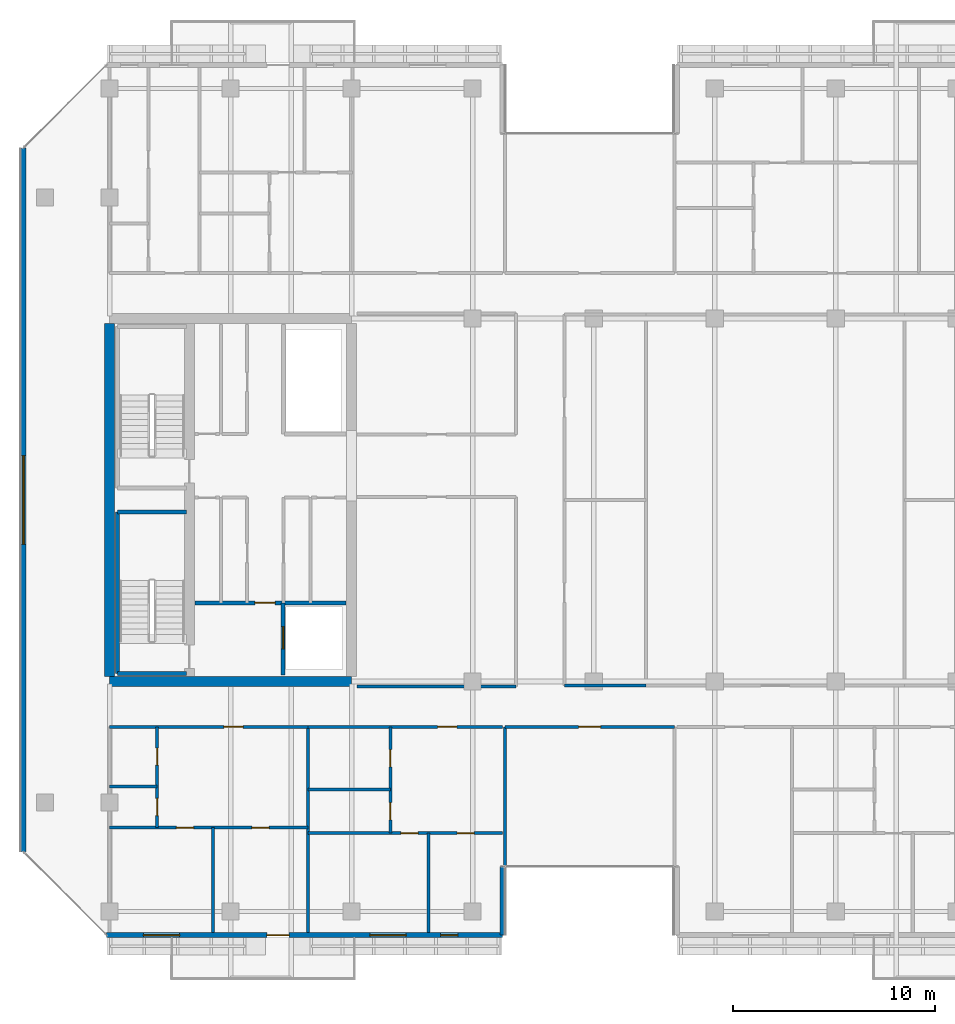
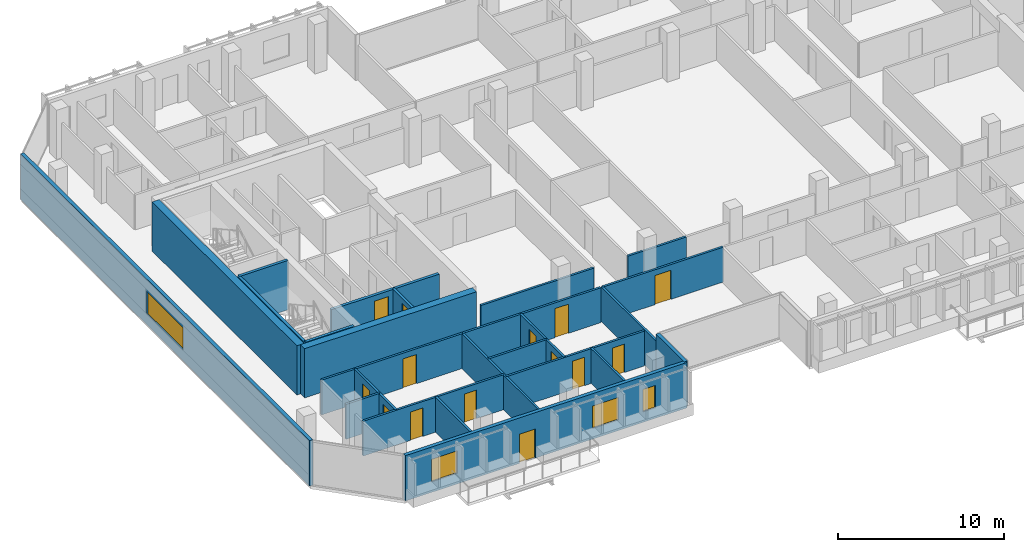
# One storey, part 19 of 31: 25 walls, 14 doors, 4 windows, 18 openings.
"""IFC4 building model written with IfcOpenShell, lengths in metres."""

import ifcopenshell
import ifcopenshell.guid

model = None  # the IFC model being written
_history = None  # IfcOwnerHistory: only IFC2X3 demands one
_inside = {}  # id of a spatial element -> (the spatial element, [elements in it])
_under = {}  # id of a project, library or spatial element -> (it, [spatial elements below it])
_declared = {}  # id of a project -> (the project, [libraries it declares])
_typed = {}  # id of a type object -> (the type object, [elements of that type])
_made_of = {}  # id of a material, layer set ... -> (it, [elements and type objects made of it])


def new_model(schema):
    """Start an empty IFC model of exactly this schema.

    Asked for "IFC4X3", IfcOpenShell would pick the latest addendum, in which some entities
    have other attributes; the version numbers below select the first issue.
    IFC2X3 requires an IfcOwnerHistory on every rooted entity: one is made here for all.
    """
    global model, _history
    if schema == "IFC4X3":
        model = ifcopenshell.file(schema_version=(4, 3, 0, 0))
    else:
        model = ifcopenshell.file(schema=schema)
    _inside.clear()
    _under.clear()
    _declared.clear()
    _typed.clear()
    _made_of.clear()
    _history = None
    if model.schema == "IFC2X3":
        org = make("IfcOrganization", Name="unknown")
        user = make(
            "IfcPersonAndOrganization",
            ThePerson=make("IfcPerson", FamilyName="unknown"),
            TheOrganization=org,
        )
        app = make(
            "IfcApplication",
            ApplicationDeveloper=org,
            Version="unknown",
            ApplicationFullName="unknown",
            ApplicationIdentifier="unknown",
        )
        _history = make(
            "IfcOwnerHistory",
            OwningUser=user,
            OwningApplication=app,
            ChangeAction="ADDED",
            CreationDate=0,
        )
    return model


def make(cls, **values):
    """One entity of the class cls with the attributes given. An attribute that is None is left unset."""
    return model.create_entity(
        cls, **{name: value for name, value in values.items() if value is not None}
    )


def rooted(cls, **values):
    """An entity with a GlobalId (a new one), such as an element, a storey or a relation."""
    return make(cls, GlobalId=ifcopenshell.guid.new(), OwnerHistory=_history, **values)


def si_unit(unit_type, name, prefix=None):
    """IfcSIUnit, for example si_unit("LENGTHUNIT", "METRE", prefix="MILLI")."""
    return make("IfcSIUnit", UnitType=unit_type, Prefix=prefix, Name=name)


def assignment(units):
    """IfcUnitAssignment: the units of a project."""
    return None if units is None else make("IfcUnitAssignment", Units=units)


def point(xyz):
    """IfcCartesianPoint."""
    return None if xyz is None else make("IfcCartesianPoint", Coordinates=xyz)


def direction(xyz):
    """IfcDirection."""
    return None if xyz is None else make("IfcDirection", DirectionRatios=xyz)


def frame(location, z_axis=None, x_axis=None):
    """IfcAxis2Placement3D, a coordinate frame: its origin and axes. An axis left out is left unset."""
    return make(
        "IfcAxis2Placement3D",
        Location=point(location),
        Axis=direction(z_axis),
        RefDirection=direction(x_axis),
    )


def frame_2d(location, x_axis=None):
    """IfcAxis2Placement2D, a coordinate frame in the plane: its origin and x axis."""
    return make(
        "IfcAxis2Placement2D", Location=point(location), RefDirection=direction(x_axis)
    )


def origin():
    """The frame at (0, 0, 0) with its axes left unset."""
    return frame((0.0, 0.0, 0.0))


def place(relative_to, where):
    """IfcLocalPlacement: puts the frame where relative to a parent placement (None: the world)."""
    return make(
        "IfcLocalPlacement", PlacementRelTo=relative_to, RelativePlacement=where
    )


def context(
    kind, dimensions, precision=None, world=None, true_north=None, identifier=None
):
    """IfcGeometricRepresentationContext, for example the 3D "Model" context."""
    return make(
        "IfcGeometricRepresentationContext",
        ContextIdentifier=identifier,
        ContextType=kind,
        CoordinateSpaceDimension=dimensions,
        Precision=precision,
        WorldCoordinateSystem=world,
        TrueNorth=true_north,
    )


def subcontext(parent, identifier, kind, view, scale=None):
    """IfcGeometricRepresentationSubContext, for example "Body" below "Model"."""
    return make(
        "IfcGeometricRepresentationSubContext",
        ContextIdentifier=identifier,
        ContextType=kind,
        ParentContext=parent,
        TargetScale=scale,
        TargetView=view,
    )


def project(units=None, contexts=None):
    """IfcProject with its units and contexts."""
    return rooted(
        "IfcProject",
        Name="project",
        RepresentationContexts=contexts,
        UnitsInContext=assignment(units),
    )


def spatial(cls, under=None, at=None, **own):
    """A site, building, storey or space (cls), placed at a placement, below another one or the project."""
    s = rooted(cls, ObjectPlacement=at, **own)
    if under is not None:
        _under.setdefault(under.id(), (under, []))[1].append(s)
    return s


def profile(cls, at=None, kind="AREA", **sizes):
    """A parametric profile (cls). Its sizes go by their IFC names, for example OverallWidth=200.0."""
    return make(cls, ProfileType=kind, Position=at, **sizes)


def rectangle(**sizes):
    """IfcRectangleProfileDef."""
    return profile("IfcRectangleProfileDef", **sizes)


def extrude(swept, where, along, depth):
    """IfcExtrudedAreaSolid: the profile swept, set in the frame where, extruded along a direction by depth."""
    return make(
        "IfcExtrudedAreaSolid",
        SweptArea=swept,
        Position=where,
        ExtrudedDirection=direction(along),
        Depth=depth,
    )


def shape(context_of_items, identifier, shape_type, items):
    """IfcShapeRepresentation: the items that make up one representation, for example the "Body"."""
    return make(
        "IfcShapeRepresentation",
        ContextOfItems=context_of_items,
        RepresentationIdentifier=identifier,
        RepresentationType=shape_type,
        Items=items,
    )


def material(Name=None, Category=None):
    """IfcMaterial."""
    return make("IfcMaterial", Name=Name, Category=Category)


def layer(
    of_material, thickness, ventilated=None, Name=None, Category=None, Priority=None
):
    """IfcMaterialLayer: one layer of a wall or slab, of a material (None: an air gap)."""
    return make(
        "IfcMaterialLayer",
        Material=of_material,
        LayerThickness=thickness,
        IsVentilated=ventilated,
        Name=Name,
        Category=Category,
        Priority=Priority,
    )


def layer_set(layers, Name=None):
    """IfcMaterialLayerSet."""
    return make("IfcMaterialLayerSet", MaterialLayers=layers, LayerSetName=Name)


def made_of(thing, what):
    """Note that an element or type object is made of a material, layer set ...; save() writes the relation."""
    if what is not None:
        _made_of.setdefault(what.id(), (what, []))[1].append(thing)
    return thing


def type_object(cls, material=None, **own):
    """A type object (cls), such as IfcWallType, which elements share."""
    return made_of(rooted(cls, **own), material)


def element(
    cls,
    number,
    at=None,
    inside=None,
    cuts=None,
    type_object=None,
    material=None,
    context=None,
    identifier="Body",
    shape_type=None,
    held_by="IfcProductDefinitionShape",
    body=None,
    shapes=None,
    **own,
):
    """One element of the class cls, such as IfcWall. Its Tag is "e" and its number.

    at: its placement. inside: the storey or other place that contains it. cuts: it is an
    opening in that element (IfcRelVoidsElement). A single representation is given by context,
    identifier, shape_type and body (its items); several are given by shapes. held_by: the class
    of the entity that holds the representations. save() writes the other relations.
    """
    e = rooted(cls, Tag="e%d" % number, ObjectPlacement=at, **own)
    if body is not None:
        shapes = [shape(context, identifier, shape_type, body)]
    if shapes is not None:
        e.Representation = make(held_by, Representations=shapes)
    if inside is not None:
        _inside.setdefault(inside.id(), (inside, []))[1].append(e)
    if cuts is not None:
        rooted(
            "IfcRelVoidsElement", RelatingBuildingElement=cuts, RelatedOpeningElement=e
        )
    if type_object is not None:
        _typed.setdefault(type_object.id(), (type_object, []))[1].append(e)
    return made_of(e, material)


def fill(opening, filler):
    """IfcRelFillsElement: the door or window that sits in an opening."""
    return rooted(
        "IfcRelFillsElement",
        RelatingOpeningElement=opening,
        RelatedBuildingElement=filler,
    )


def aggregate(whole, parts):
    """IfcRelAggregates: a whole, such as a stair, and the parts it consists of."""
    return rooted("IfcRelAggregates", RelatingObject=whole, RelatedObjects=parts)


def save(model, path):
    """Write the relations noted so far, then the file.

    IfcRelAggregates (storeys below a building ...), IfcRelContainedInSpatialStructure (elements
    in a storey), IfcRelDefinesByType, IfcRelAssociatesMaterial and IfcRelDeclares: one each for
    every whole, place, type object, material and project.
    """
    for whole, parts in _under.values():
        aggregate(whole, parts)
    for where, things in _inside.values():
        rooted(
            "IfcRelContainedInSpatialStructure",
            RelatedElements=things,
            RelatingStructure=where,
        )
    for kind, things in _typed.values():
        rooted("IfcRelDefinesByType", RelatedObjects=things, RelatingType=kind)
    for what, things in _made_of.values():
        rooted("IfcRelAssociatesMaterial", RelatedObjects=things, RelatingMaterial=what)
    for by, libraries in _declared.values():
        rooted("IfcRelDeclares", RelatingContext=by, RelatedDefinitions=libraries)
    model.write(path)


model = new_model("IFC4")

# Units and contexts
model_context = context("Model", 3, precision=1e-05, world=origin(), true_north=direction((0.0, 1.0)))
body_context = subcontext(model_context, "Body", "Model", "MODEL_VIEW")
ifc_project = project(units=[si_unit("LENGTHUNIT", "METRE"), si_unit("AREAUNIT", "SQUARE_METRE"), si_unit("VOLUMEUNIT", "CUBIC_METRE"), si_unit("PLANEANGLEUNIT", "RADIAN"), si_unit("MASSUNIT", "GRAM", prefix="KILO")], contexts=[model_context])

# Site, building, storey
site_placement = place(None, origin())
site = spatial("IfcSite", under=ifc_project, at=site_placement, CompositionType="ELEMENT")
building_placement = place(site_placement, origin())
building = spatial("IfcBuilding", under=site, at=building_placement, Name="Tanjung Sevakor Pilgrim Tower", CompositionType="ELEMENT")
storey_placement = place(building_placement, frame((0.0, 0.0, 169.2900390625)))
storey = spatial("IfcBuildingStorey", under=building, at=storey_placement, Name="L47", CompositionType="ELEMENT", Elevation=169.2900390625)

# Walls
ifc_material_1 = material(Name="Concrete C60/75", Category="concrete")
ifc_layer_1 = layer(ifc_material_1, 0.5)
ifc_layer_set_1 = layer_set([ifc_layer_1], Name="WALL-CW-500")
wall_type_1 = type_object("IfcWallType", Name="WALL-CW-500", PredefinedType="SHEAR", material=ifc_layer_set_1)
wall_1_placement = place(storey_placement, frame((24.0, 24.60009765625, 0.0), z_axis=(0.0, 0.0, 1.0), x_axis=(1.0, 0.0, 0.0)))
element("IfcWall", 1, at=wall_1_placement, inside=storey, type_object=wall_type_1, Name="L47 W Core South Shear Wall", PredefinedType="SHEAR", context=body_context, shape_type="SweptSolid", body=[
    extrude(rectangle(XDim=12.0, YDim=0.5, at=frame_2d((6.0, 0.0))), origin(), (0.0, 0.0, 1.0), 3.6298828125),
])
wall_2_placement = place(storey_placement, frame((24.0, 24.85009765625, 0.0), z_axis=(0.0, 0.0, 1.0), x_axis=(0.0, 1.0, 0.0)))
element("IfcWall", 2, at=wall_2_placement, inside=storey, type_object=wall_type_1, Name="L47 W Core Outer Shear Wall", PredefinedType="SHEAR", context=body_context, shape_type="SweptSolid", body=[
    extrude(rectangle(XDim=17.5, YDim=0.5, at=frame_2d((8.75, 0.0))), origin(), (0.0, 0.0, 1.0), 3.6298828125),
])
ifc_material_2 = material(Name="Concrete C40/50", Category="concrete")
ifc_layer_2 = layer(ifc_material_2, 0.14990234375)
ifc_layer_set_2 = layer_set([ifc_layer_2], Name="WT-COMP-150")
wall_type_2 = type_object("IfcWallType", Name="WT-COMP-150", PredefinedType="SOLIDWALL", material=ifc_layer_set_2)
wall_3_placement = place(storey_placement, frame((36.27001953125, 24.35009765625, 0.0), z_axis=(0.0, 0.0, 1.0), x_axis=(1.0, 0.0, 0.0)))
element("IfcWall", 3, at=wall_3_placement, inside=storey, type_object=wall_type_2, Name="L47 Partition IW-L47-033", PredefinedType="SOLIDWALL", context=body_context, shape_type="SweptSolid", body=[
    extrude(rectangle(XDim=7.8798828125, YDim=0.14990234375, at=frame_2d((3.93994140625, 0.0))), origin(), (0.0, 0.0, 1.0), 2.570068359375),
])
wall_4_placement = place(storey_placement, frame((46.550048828125, 24.39990234375, 0.0), z_axis=(0.0, 0.0, 1.0), x_axis=(1.0, 0.0, 0.0)))
element("IfcWall", 4, at=wall_4_placement, inside=storey, type_object=wall_type_2, Name="L47 Partition IW-L47-045", PredefinedType="SOLIDWALL", context=body_context, shape_type="SweptSolid", body=[
    extrude(rectangle(XDim=4.050048828125, YDim=0.14990234375, at=frame_2d((2.02490234375, 0.0))), origin(), (0.0, 0.0, 1.0), 2.570068359375),
])

# Wall, opening, door
wall_5_placement = place(storey_placement, frame((43.60009765625, 22.35009765625, 0.0), z_axis=(0.0, 0.0, 1.0), x_axis=(1.0, 0.0, 0.0)))
wall_5 = element("IfcWall", 5, at=wall_5_placement, inside=storey, type_object=wall_type_2, Name="L47 Partition IW-L47-059", PredefinedType="SOLIDWALL", context=body_context, shape_type="SweptSolid", body=[
    extrude(rectangle(XDim=8.39990234375, YDim=0.14990234375, at=frame_2d((4.199951171875, 0.0))), origin(), (0.0, 0.0, 1.0), 2.570068359375),
])
opening_1_placement = place(wall_5_placement, frame((3.64990234375, 0.0, 0.0)))
opening_1 = element("IfcOpeningElement", 6, at=opening_1_placement, cuts=wall_5, Name="Opening ID-RM2", PredefinedType="OPENING", context=body_context, shape_type="SweptSolid", body=[
    extrude(rectangle(XDim=1.10009765625, YDim=2.14990234375, at=frame_2d((0.550048828125, 1.074951171875))), frame((0.0, 0.0849609375, 0.0), z_axis=(0.0, -1.0, 0.0), x_axis=(1.0, 0.0, 0.0)), (0.0, 0.0, 1.0), 0.169921875),
])
ifc_material_3 = material(Name="Hardwood Timber", Category="wood")
door_type_1 = type_object("IfcDoorType", Name="DT-INT-1100", OperationType="NOTDEFINED", PredefinedType="DOOR", material=ifc_material_3)
door_1_placement = place(opening_1_placement, origin())
door_1 = element("IfcDoor", 7, at=door_1_placement, inside=storey, type_object=door_type_1, Name="L47 South Cleft Observatory Door", OperationType="SINGLE_SWING_LEFT", OverallHeight=2.14990234375, OverallWidth=1.10009765625, PredefinedType="DOOR", context=body_context, shape_type="SweptSolid", body=[
    extrude(rectangle(XDim=1.10009765625, YDim=2.14990234375, at=frame_2d((0.550048828125, 1.074951171875))), frame((0.0, 0.02490234375, 0.0), z_axis=(0.0, -1.0, 0.0), x_axis=(1.0, 0.0, 0.0)), (0.0, 0.0, 1.0), 0.050048828125),
])
fill(opening_1, door_1)

# Walls
for number, where, z_axis, x_axis, name in (
    (8, (43.60009765625, 12.14990234375, 0.0), (0.0, 0.0, 1.0), (0.0, 1.0, 0.0), "L47 Partition IW-L47-060"),
    (9, (33.8447265625, 12.14990234375, 0.0), (0.0, 0.0, 1.0), (0.0, 1.0, 0.0), "L47 Partition IW-L47-066"),
):
    element("IfcWall", number, at=place(storey_placement, frame(where, z_axis=z_axis, x_axis=x_axis)), inside=storey, type_object=wall_type_2, Name=name, PredefinedType="SOLIDWALL", context=body_context, shape_type="SweptSolid", body=[
        extrude(rectangle(XDim=10.2001953125, YDim=0.14990234375, at=frame_2d((5.10009765625, 0.0))), origin(), (0.0, 0.0, 1.0), 2.570068359375),
    ])

# Wall, opening, door
wall_6_placement = place(storey_placement, frame((24.0, 22.35009765625, 0.0), z_axis=(0.0, 0.0, 1.0), x_axis=(1.0, 0.0, 0.0)))
wall_6 = element("IfcWall", 10, at=wall_6_placement, inside=storey, type_object=wall_type_2, Name="L47 Partition IW-L47-071", PredefinedType="SOLIDWALL", context=body_context, shape_type="SweptSolid", body=[
    extrude(rectangle(XDim=9.8447265625, YDim=0.14990234375, at=frame_2d((4.92236328125, 0.0))), origin(), (0.0, 0.0, 1.0), 2.570068359375),
])
opening_2_placement = place(wall_6_placement, frame((5.662353515625, 0.0, 0.0)))
opening_2 = element("IfcOpeningElement", 11, at=opening_2_placement, cuts=wall_6, Name="Opening ID-FD2", PredefinedType="OPENING", context=body_context, shape_type="SweptSolid", body=[
    extrude(rectangle(XDim=0.949951171875, YDim=2.14990234375, at=frame_2d((0.47509765625, 1.074951171875))), frame((0.0, 0.0849609375, 0.0), z_axis=(0.0, -1.0, 0.0), x_axis=(1.0, 0.0, 0.0)), (0.0, 0.0, 1.0), 0.169921875),
])
ifc_material_4 = material(Name="Fire-Rated Timber", Category="wood")
door_type_2 = type_object("IfcDoorType", Name="DT-FIRE-950", OperationType="NOTDEFINED", PredefinedType="DOOR", material=ifc_material_4)
door_2_placement = place(opening_2_placement, origin())
door_2 = element("IfcDoor", 12, at=door_2_placement, inside=storey, type_object=door_type_2, Name="Suite Entrance", OperationType="SINGLE_SWING_LEFT", OverallHeight=2.14990234375, OverallWidth=0.949951171875, PredefinedType="DOOR", context=body_context, shape_type="SweptSolid", body=[
    extrude(rectangle(XDim=0.949951171875, YDim=2.14990234375, at=frame_2d((0.47509765625, 1.074951171875))), frame((0.0, 0.02490234375, 0.0), z_axis=(0.0, -1.0, 0.0), x_axis=(1.0, 0.0, 0.0)), (0.0, 0.0, 1.0), 0.050048828125),
])
fill(opening_2, door_2)

wall_7_placement = place(storey_placement, frame((33.8447265625, 22.35009765625, 0.0), z_axis=(0.0, 0.0, 1.0), x_axis=(1.0, 0.0, 0.0)))
wall_7 = element("IfcWall", 13, at=wall_7_placement, inside=storey, type_object=wall_type_2, Name="L47 Partition IW-L47-076", PredefinedType="SOLIDWALL", context=body_context, shape_type="SweptSolid", body=[
    extrude(rectangle(XDim=9.63525390625, YDim=0.14990234375, at=frame_2d((4.817626953125, 0.0))), origin(), (0.0, 0.0, 1.0), 2.570068359375),
])
opening_3_placement = place(wall_7_placement, frame((6.42041015625, 0.0, 0.0)))
opening_3 = element("IfcOpeningElement", 14, at=opening_3_placement, cuts=wall_7, Name="Opening ID-FD2", PredefinedType="OPENING", context=body_context, shape_type="SweptSolid", body=[
    extrude(rectangle(XDim=0.949951171875, YDim=2.14990234375, at=frame_2d((0.47509765625, 1.074951171875))), frame((0.0, 0.0849609375, 0.0), z_axis=(0.0, -1.0, 0.0), x_axis=(1.0, 0.0, 0.0)), (0.0, 0.0, 1.0), 0.169921875),
])
door_3_placement = place(opening_3_placement, origin())
door_3 = element("IfcDoor", 15, at=door_3_placement, inside=storey, type_object=door_type_2, Name="Suite Entrance", OperationType="SINGLE_SWING_RIGHT", OverallHeight=2.14990234375, OverallWidth=0.949951171875, PredefinedType="DOOR", context=body_context, shape_type="SweptSolid", body=[
    extrude(rectangle(XDim=0.949951171875, YDim=2.14990234375, at=frame_2d((0.47509765625, 1.074951171875))), frame((0.0, 0.02490234375, 0.0), z_axis=(0.0, -1.0, 0.0), x_axis=(1.0, 0.0, 0.0)), (0.0, 0.0, 1.0), 0.050048828125),
])
fill(opening_3, door_3)

# Wall, openings, door, windows
ifc_material_5 = material(Name="Precast concrete C45/55", Category="concrete")
ifc_layer_3 = layer(ifc_material_5, 0.25)
ifc_layer_set_3 = layer_set([ifc_layer_3], Name="WT-EW-STN3")
wall_type_3 = type_object("IfcWallType", Name="WT-EW-STN3", PredefinedType="SOLIDWALL", material=ifc_layer_set_3)
wall_8_placement = place(storey_placement, frame((23.851806640625, 12.02490234375, 0.0), z_axis=(0.0, 0.0, 1.0), x_axis=(1.0, 0.0, 0.0)))
wall_8 = element("IfcWall", 16, at=wall_8_placement, inside=storey, type_object=wall_type_3, Name="L47 MAIN Exterior Wall 1", PredefinedType="SOLIDWALL", context=body_context, shape_type="SweptSolid", body=[
    extrude(rectangle(XDim=19.623291015625, YDim=0.25, at=frame_2d((9.8115234375, 0.0))), origin(), (0.0, 0.0, 1.0), 3.35009765625),
])
opening_4_placement = place(wall_8_placement, frame((7.9482421875, 0.0, 0.0)))
opening_4 = element("IfcOpeningElement", 17, at=opening_4_placement, cuts=wall_8, Name="Opening ED-BAL-1100", PredefinedType="OPENING", context=body_context, shape_type="SweptSolid", body=[
    extrude(rectangle(XDim=1.10009765625, YDim=2.14990234375, at=frame_2d((0.550048828125, 1.074951171875))), frame((0.0, 0.135009765625, 0.0), z_axis=(0.0, -1.0, 0.0), x_axis=(1.0, 0.0, 0.0)), (0.0, 0.0, 1.0), 0.27001953125),
])
opening_5_placement = place(wall_8_placement, frame((1.81787109375, 0.0, 0.780029296875)))
opening_5 = element("IfcOpeningElement", 18, at=opening_5_placement, cuts=wall_8, Name="Opening WN-Z3-1660", PredefinedType="OPENING", context=body_context, shape_type="SweptSolid", body=[
    extrude(rectangle(XDim=1.800048828125, YDim=1.659912109375, at=frame_2d((0.89990234375, 0.830078125))), frame((0.0, 0.135009765625, 0.0), z_axis=(0.0, -1.0, 0.0), x_axis=(1.0, 0.0, 0.0)), (0.0, 0.0, 1.0), 0.27001953125),
])
opening_6_placement = place(wall_8_placement, frame((13.050537109375, 0.0, 0.780029296875)))
opening_6 = element("IfcOpeningElement", 19, at=opening_6_placement, cuts=wall_8, Name="Opening WN-Z3-1660", PredefinedType="OPENING", context=body_context, shape_type="SweptSolid", body=[
    extrude(rectangle(XDim=1.800048828125, YDim=1.659912109375, at=frame_2d((0.89990234375, 0.830078125))), frame((0.0, 0.135009765625, 0.0), z_axis=(0.0, -1.0, 0.0), x_axis=(1.0, 0.0, 0.0)), (0.0, 0.0, 1.0), 0.27001953125),
])
opening_7_placement = place(wall_8_placement, frame((16.563232421875, 0.0, 0.780029296875)))
opening_7 = element("IfcOpeningElement", 20, at=opening_7_placement, cuts=wall_8, Name="Opening WN-SLM", PredefinedType="OPENING", context=body_context, shape_type="SweptSolid", body=[
    extrude(rectangle(XDim=0.85009765625, YDim=1.64990234375, at=frame_2d((0.425048828125, 0.824951171875))), frame((0.0, 0.135009765625, 0.0), z_axis=(0.0, -1.0, 0.0), x_axis=(1.0, 0.0, 0.0)), (0.0, 0.0, 1.0), 0.27001953125),
])
ifc_material_6 = material(Name="Anodised Aluminium and Laminated Glass", Category="aluminium")
door_type_3 = type_object("IfcDoorType", Name="DTYP-ED-BAL-1100", OperationType="NOTDEFINED", PredefinedType="DOOR", material=ifc_material_6)
door_4_placement = place(opening_4_placement, frame((1.10009765625, 0.0, 0.0), z_axis=(0.0, 0.0, 1.0), x_axis=(-1.0, 0.0, 0.0)))
door_4 = element("IfcDoor", 21, at=door_4_placement, inside=storey, type_object=door_type_3, Name="L47 Balcony Door MAIN-S1", OperationType="SINGLE_SWING_RIGHT", OverallHeight=2.14990234375, OverallWidth=1.10009765625, PredefinedType="DOOR", context=body_context, shape_type="SweptSolid", body=[
    extrude(rectangle(XDim=1.10009765625, YDim=2.14990234375, at=frame_2d((0.550048828125, 1.074951171875))), frame((0.0, 0.02490234375, 0.0), z_axis=(0.0, -1.0, 0.0), x_axis=(1.0, 0.0, 0.0)), (0.0, 0.0, 1.0), 0.050048828125),
])
fill(opening_4, door_4)
ifc_material_7 = material(Name="Thermally Broken Aluminium and Low-E Glass", Category="aluminium")
window_type_1 = type_object("IfcWindowType", Name="WTYP-WN-SLM", PartitioningType="SINGLE_PANEL", PredefinedType="WINDOW", material=ifc_material_7)
window_1_placement = place(opening_7_placement, origin())
window_1 = element("IfcWindow", 22, at=window_1_placement, inside=storey, type_object=window_type_1, Name="L47 Facade Window 03", OverallHeight=1.64990234375, OverallWidth=0.85009765625, PartitioningType="SINGLE_PANEL", PredefinedType="WINDOW", context=body_context, shape_type="SweptSolid", body=[
    extrude(rectangle(XDim=0.85009765625, YDim=1.64990234375, at=frame_2d((0.425048828125, 0.824951171875))), frame((0.0, 0.030029296875, 0.0), z_axis=(0.0, -1.0, 0.0), x_axis=(1.0, 0.0, 0.0)), (0.0, 0.0, 1.0), 0.06005859375),
])
fill(opening_7, window_1)
ifc_material_8 = material(Name="Thermally Broken Aluminium and Low-E Glass", Category="aluminium")
window_type_2 = type_object("IfcWindowType", Name="WTYP-WN-Z3-1660", PartitioningType="DOUBLE_PANEL_VERTICAL", PredefinedType="WINDOW", material=ifc_material_8)
window_2_placement = place(opening_5_placement, origin())
window_2 = element("IfcWindow", 23, at=window_2_placement, inside=storey, type_object=window_type_2, Name="L47 Facade Window 01", OverallHeight=1.659912109375, OverallWidth=1.800048828125, PartitioningType="SINGLE_PANEL", PredefinedType="WINDOW", context=body_context, shape_type="SweptSolid", body=[
    extrude(rectangle(XDim=1.800048828125, YDim=1.659912109375, at=frame_2d((0.89990234375, 0.830078125))), frame((0.0, 0.030029296875, 0.0), z_axis=(0.0, -1.0, 0.0), x_axis=(1.0, 0.0, 0.0)), (0.0, 0.0, 1.0), 0.06005859375),
])
fill(opening_5, window_2)
window_3_placement = place(opening_6_placement, origin())
window_3 = element("IfcWindow", 24, at=window_3_placement, inside=storey, type_object=window_type_2, Name="L47 Facade Window 02", OverallHeight=1.659912109375, OverallWidth=1.800048828125, PartitioningType="SINGLE_PANEL", PredefinedType="WINDOW", context=body_context, shape_type="SweptSolid", body=[
    extrude(rectangle(XDim=1.800048828125, YDim=1.659912109375, at=frame_2d((0.89990234375, 0.830078125))), frame((0.0, 0.030029296875, 0.0), z_axis=(0.0, -1.0, 0.0), x_axis=(1.0, 0.0, 0.0)), (0.0, 0.0, 1.0), 0.06005859375),
])
fill(opening_6, window_3)

# Wall
wall_9_placement = place(storey_placement, frame((43.47509765625, 12.02490234375, 0.0), z_axis=(0.0, 0.0, 1.0), x_axis=(0.0, 1.0, 0.0)))
element("IfcWall", 25, at=wall_9_placement, inside=storey, type_object=wall_type_3, Name="L47 MAIN Exterior Wall 2", PredefinedType="SOLIDWALL", context=body_context, shape_type="SweptSolid", body=[
    extrude(rectangle(XDim=3.400146484375, YDim=0.25, at=frame_2d((1.7001953125, 0.0))), origin(), (0.0, 0.0, 1.0), 3.35009765625),
])

# Wall, opening, window
wall_10_placement = place(storey_placement, frame((19.72509765625, 51.048095703125, 0.0), z_axis=(0.0, 0.0, 1.0), x_axis=(0.0, -1.0, 0.0)))
wall_10 = element("IfcWall", 26, at=wall_10_placement, inside=storey, type_object=wall_type_3, Name="L47 MAIN Exterior Wall 15", PredefinedType="SOLIDWALL", context=body_context, shape_type="SweptSolid", body=[
    extrude(rectangle(XDim=34.896240234375, YDim=0.25, at=frame_2d((17.4482421875, 0.0))), origin(), (0.0, 0.0, 1.0), 3.35009765625),
])
opening_8_placement = place(wall_10_placement, frame((15.248291015625, 0.0, 0.780029296875)))
opening_8 = element("IfcOpeningElement", 27, at=opening_8_placement, cuts=wall_10, Name="Opening WN-ENDW-1660", PredefinedType="OPENING", context=body_context, shape_type="SweptSolid", body=[
    extrude(rectangle(XDim=4.39990234375, YDim=1.659912109375, at=frame_2d((2.199951171875, 0.830078125))), frame((0.0, 0.135009765625, 0.0), z_axis=(0.0, -1.0, 0.0), x_axis=(1.0, 0.0, 0.0)), (0.0, 0.0, 1.0), 0.27001953125),
])
ifc_material_9 = material(Name="Thermally Broken Aluminium and Low-E Glass", Category="aluminium")
window_type_3 = type_object("IfcWindowType", Name="WTYP-WN-ENDW-1660", PartitioningType="DOUBLE_PANEL_VERTICAL", PredefinedType="WINDOW", material=ifc_material_9)
window_4_placement = place(opening_8_placement, origin())
window_4 = element("IfcWindow", 28, at=window_4_placement, inside=storey, type_object=window_type_3, Name="L47 Facade Window 01", OverallHeight=1.659912109375, OverallWidth=4.39990234375, PartitioningType="SINGLE_PANEL", PredefinedType="WINDOW", context=body_context, shape_type="SweptSolid", body=[
    extrude(rectangle(XDim=4.39990234375, YDim=1.659912109375, at=frame_2d((2.199951171875, 0.830078125))), frame((0.0, 0.030029296875, 0.0), z_axis=(0.0, -1.0, 0.0), x_axis=(1.0, 0.0, 0.0)), (0.0, 0.0, 1.0), 0.06005859375),
])
fill(opening_8, window_4)

# Walls
ifc_material_10 = material(Name="Concrete C40/50", Category="concrete")
ifc_layer_4 = layer(ifc_material_10, 0.199951171875)
ifc_layer_set_4 = layer_set([ifc_layer_4], Name="WT-FIRE-200")
wall_type_4 = type_object("IfcWallType", Name="WT-FIRE-200", PredefinedType="SOLIDWALL", material=ifc_layer_set_4)
for number, where, z_axis, x_axis, name in (
    (29, (24.39990234375, 25.0, 0.0), (0.0, 0.0, 1.0), (1.0, 0.0, 0.0), "L47 TS-W1 Shaft Wall 1"),
    (30, (27.800048828125, 33.0, 0.0), (0.0, 0.0, 1.0), (-1.0, 0.0, 0.0), "L47 TS-W1 Shaft Wall 2"),
):
    element("IfcWall", number, at=place(storey_placement, frame(where, z_axis=z_axis, x_axis=x_axis)), inside=storey, type_object=wall_type_4, Name=name, PredefinedType="SOLIDWALL", context=body_context, shape_type="SweptSolid", body=[
        extrude(rectangle(XDim=3.400146484375, YDim=0.199951171875, at=frame_2d((1.7001953125, 0.0))), origin(), (0.0, 0.0, 1.0), 3.6298828125),
    ])
wall_11_placement = place(storey_placement, frame((24.39990234375, 33.0, 0.0), z_axis=(0.0, 0.0, 1.0), x_axis=(0.0, -1.0, 0.0)))
element("IfcWall", 31, at=wall_11_placement, inside=storey, type_object=wall_type_4, Name="L47 TS-W1 Shaft Wall 3", PredefinedType="SOLIDWALL", context=body_context, shape_type="SweptSolid", body=[
    extrude(rectangle(XDim=8.0, YDim=0.199951171875, at=frame_2d((4.0, 0.0))), origin(), (0.0, 0.0, 1.0), 3.6298828125),
])

# Wall, opening, door
ifc_material_11 = material(Name="Concrete C40/50", Category="concrete")
ifc_layer_5 = layer(ifc_material_11, 0.199951171875)
ifc_layer_set_5 = layer_set([ifc_layer_5], Name="WT-FPRT-200")
wall_type_5 = type_object("IfcWallType", Name="WT-FPRT-200", PredefinedType="SOLIDWALL", material=ifc_layer_set_5)
wall_12_placement = place(storey_placement, frame((32.60009765625, 24.919921875, 0.0), z_axis=(0.0, 0.0, 1.0), x_axis=(0.0, 1.0, 0.0)))
wall_12 = element("IfcWall", 32, at=wall_12_placement, inside=storey, type_object=wall_type_5, Name="L47 Partition IW-L47-001", PredefinedType="SOLIDWALL", context=body_context, shape_type="SweptSolid", body=[
    extrude(rectangle(XDim=3.580078125, YDim=0.199951171875, at=frame_2d((1.7900390625, 0.0))), origin(), (0.0, 0.0, 1.0), 2.570068359375),
])
opening_9_placement = place(wall_12_placement, frame((1.300048828125, 0.0, 0.0)))
opening_9 = element("IfcOpeningElement", 33, at=opening_9_placement, cuts=wall_12, Name="Opening LD-1100", PredefinedType="OPENING", context=body_context, shape_type="SweptSolid", body=[
    extrude(rectangle(XDim=1.10009765625, YDim=2.199951171875, at=frame_2d((0.550048828125, 1.10009765625))), frame((0.0, 0.10986328125, 0.0), z_axis=(0.0, -1.0, 0.0), x_axis=(1.0, 0.0, 0.0)), (0.0, 0.0, 1.0), 0.219970703125),
])
ifc_material_12 = material(Name="Brushed Stainless Steel S355J2", Category="steel")
door_type_4 = type_object("IfcDoorType", Name="DT-LIFT-1100", OperationType="SLIDING_TO_LEFT", PredefinedType="DOOR", material=ifc_material_12)
door_5_placement = place(opening_9_placement, origin())
door_5 = element("IfcDoor", 34, at=door_5_placement, inside=storey, type_object=door_type_4, Name="LD-FL-W", OperationType="SLIDING_TO_LEFT", OverallHeight=2.199951171875, OverallWidth=1.10009765625, PredefinedType="DOOR", context=body_context, shape_type="SweptSolid", body=[
    extrude(rectangle(XDim=1.10009765625, YDim=2.199951171875, at=frame_2d((0.550048828125, 1.10009765625))), frame((0.0, 0.02490234375, 0.0), z_axis=(0.0, -1.0, 0.0), x_axis=(1.0, 0.0, 0.0)), (0.0, 0.0, 1.0), 0.050048828125),
])
fill(opening_9, door_5)

wall_13_placement = place(storey_placement, frame((28.219970703125, 28.5, 0.0), z_axis=(0.0, 0.0, 1.0), x_axis=(1.0, 0.0, 0.0)))
wall_13 = element("IfcWall", 35, at=wall_13_placement, inside=storey, type_object=wall_type_5, Name="L47 Partition IW-L47-002", PredefinedType="SOLIDWALL", context=body_context, shape_type="SweptSolid", body=[
    extrude(rectangle(XDim=7.510009765625, YDim=0.199951171875, at=frame_2d((3.7548828125, 0.0))), origin(), (0.0, 0.0, 1.0), 2.570068359375),
])
opening_10_placement = place(wall_13_placement, frame((2.97998046875, 0.0, 0.0)))
opening_10 = element("IfcOpeningElement", 36, at=opening_10_placement, cuts=wall_13, Name="Opening ID-FD1", PredefinedType="OPENING", context=body_context, shape_type="SweptSolid", body=[
    extrude(rectangle(XDim=1.0, YDim=2.14990234375, at=frame_2d((0.5, 1.074951171875))), frame((0.0, 0.10986328125, 0.0), z_axis=(0.0, -1.0, 0.0), x_axis=(1.0, 0.0, 0.0)), (0.0, 0.0, 1.0), 0.219970703125),
])
ifc_material_13 = material(Name="Fire-Rated Steel S355J2", Category="steel")
door_type_5 = type_object("IfcDoorType", Name="DT-FIRE-1000", OperationType="NOTDEFINED", PredefinedType="DOOR", material=ifc_material_13)
door_6_placement = place(opening_10_placement, origin())
door_6 = element("IfcDoor", 37, at=door_6_placement, inside=storey, type_object=door_type_5, Name="Fire Lobby Door W", OperationType="SINGLE_SWING_LEFT", OverallHeight=2.14990234375, OverallWidth=1.0, PredefinedType="DOOR", context=body_context, shape_type="SweptSolid", body=[
    extrude(rectangle(XDim=1.0, YDim=2.14990234375, at=frame_2d((0.5, 1.074951171875))), frame((0.0, 0.02490234375, 0.0), z_axis=(0.0, -1.0, 0.0), x_axis=(1.0, 0.0, 0.0)), (0.0, 0.0, 1.0), 0.050048828125),
])
fill(opening_10, door_6)

# Wall
ifc_material_14 = material(Name="Gypsum Board Partition", Category="gypsum board")
ifc_layer_6 = layer(ifc_material_14, 0.14990234375)
ifc_layer_set_6 = layer_set([ifc_layer_6], Name="WT-PART-150")
wall_type_6 = type_object("IfcWallType", Name="WT-PART-150", PredefinedType="PARTITIONING", material=ifc_layer_set_6)
wall_14_placement = place(storey_placement, frame((24.0, 19.39990234375, 0.0), z_axis=(0.0, 0.0, 1.0), x_axis=(1.0, 0.0, 0.0)))
element("IfcWall", 38, at=wall_14_placement, inside=storey, type_object=wall_type_6, Name="L47 Partition IW-L47-067", PredefinedType="PARTITIONING", context=body_context, shape_type="SweptSolid", body=[
    extrude(rectangle(XDim=2.35009765625, YDim=0.14990234375, at=frame_2d((1.175048828125, 0.0))), origin(), (0.0, 0.0, 1.0), 2.570068359375),
])

# Wall, openings, doors
wall_15_placement = place(storey_placement, frame((26.35009765625, 17.35009765625, 0.0), z_axis=(0.0, 0.0, 1.0), x_axis=(0.0, 1.0, 0.0)))
wall_15 = element("IfcWall", 39, at=wall_15_placement, inside=storey, type_object=wall_type_6, Name="L47 Partition IW-L47-068", PredefinedType="PARTITIONING", context=body_context, shape_type="SweptSolid", body=[
    extrude(rectangle(XDim=5.0, YDim=0.14990234375, at=frame_2d((2.5, 0.0))), origin(), (0.0, 0.0, 1.0), 2.570068359375),
])
opening_11_placement = place(wall_15_placement, frame((0.60009765625, 0.0, 0.0)))
opening_11 = element("IfcOpeningElement", 40, at=opening_11_placement, cuts=wall_15, Name="Opening ID-WC1", PredefinedType="OPENING", context=body_context, shape_type="SweptSolid", body=[
    extrude(rectangle(XDim=0.85009765625, YDim=2.10009765625, at=frame_2d((0.425048828125, 1.050048828125))), frame((0.0, 0.0849609375, 0.0), z_axis=(0.0, -1.0, 0.0), x_axis=(1.0, 0.0, 0.0)), (0.0, 0.0, 1.0), 0.169921875),
])
opening_12_placement = place(wall_15_placement, frame((3.10009765625, 0.0, 0.0)))
opening_12 = element("IfcOpeningElement", 41, at=opening_12_placement, cuts=wall_15, Name="Opening ID-WC1", PredefinedType="OPENING", context=body_context, shape_type="SweptSolid", body=[
    extrude(rectangle(XDim=0.85009765625, YDim=2.10009765625, at=frame_2d((0.425048828125, 1.050048828125))), frame((0.0, 0.0849609375, 0.0), z_axis=(0.0, -1.0, 0.0), x_axis=(1.0, 0.0, 0.0)), (0.0, 0.0, 1.0), 0.169921875),
])
ifc_material_15 = material(Name="Moisture-Resistant Timber", Category="wood")
door_type_6 = type_object("IfcDoorType", Name="DT-INT-850", OperationType="NOTDEFINED", PredefinedType="DOOR", material=ifc_material_15)
door_7_placement = place(opening_11_placement, origin())
door_7 = element("IfcDoor", 42, at=door_7_placement, inside=storey, type_object=door_type_6, Name="Suite Bathroom Door", OperationType="SINGLE_SWING_LEFT", OverallHeight=2.10009765625, OverallWidth=0.85009765625, PredefinedType="DOOR", context=body_context, shape_type="SweptSolid", body=[
    extrude(rectangle(XDim=0.85009765625, YDim=2.10009765625, at=frame_2d((0.425048828125, 1.050048828125))), frame((0.0, 0.02490234375, 0.0), z_axis=(0.0, -1.0, 0.0), x_axis=(1.0, 0.0, 0.0)), (0.0, 0.0, 1.0), 0.050048828125),
])
fill(opening_11, door_7)
door_8_placement = place(opening_12_placement, origin())
door_8 = element("IfcDoor", 43, at=door_8_placement, inside=storey, type_object=door_type_6, Name="Suite Kitchenette Door", OperationType="SINGLE_SWING_RIGHT", OverallHeight=2.10009765625, OverallWidth=0.85009765625, PredefinedType="DOOR", context=body_context, shape_type="SweptSolid", body=[
    extrude(rectangle(XDim=0.85009765625, YDim=2.10009765625, at=frame_2d((0.425048828125, 1.050048828125))), frame((0.0, 0.02490234375, 0.0), z_axis=(0.0, -1.0, 0.0), x_axis=(1.0, 0.0, 0.0)), (0.0, 0.0, 1.0), 0.050048828125),
])
fill(opening_12, door_8)

# Wall
wall_16_placement = place(storey_placement, frame((29.119140625, 12.14990234375, 0.0), z_axis=(0.0, 0.0, 1.0), x_axis=(0.0, 1.0, 0.0)))
element("IfcWall", 44, at=wall_16_placement, inside=storey, type_object=wall_type_6, Name="L47 Partition IW-L47-069", PredefinedType="PARTITIONING", context=body_context, shape_type="SweptSolid", body=[
    extrude(rectangle(XDim=5.2001953125, YDim=0.14990234375, at=frame_2d((2.60009765625, 0.0))), origin(), (0.0, 0.0, 1.0), 2.570068359375),
])

# Wall, openings, doors
wall_17_placement = place(storey_placement, frame((24.0, 17.35009765625, 0.0), z_axis=(0.0, 0.0, 1.0), x_axis=(1.0, 0.0, 0.0)))
wall_17 = element("IfcWall", 45, at=wall_17_placement, inside=storey, type_object=wall_type_6, Name="L47 Partition IW-L47-070", PredefinedType="PARTITIONING", context=body_context, shape_type="SweptSolid", body=[
    extrude(rectangle(XDim=9.8447265625, YDim=0.14990234375, at=frame_2d((4.92236328125, 0.0))), origin(), (0.0, 0.0, 1.0), 2.570068359375),
])
opening_13_placement = place(wall_17_placement, frame((3.3095703125, 0.0, 0.0)))
opening_13 = element("IfcOpeningElement", 46, at=opening_13_placement, cuts=wall_17, Name="Opening ID-WC1", PredefinedType="OPENING", context=body_context, shape_type="SweptSolid", body=[
    extrude(rectangle(XDim=0.85009765625, YDim=2.10009765625, at=frame_2d((0.425048828125, 1.050048828125))), frame((0.0, 0.0849609375, 0.0), z_axis=(0.0, -1.0, 0.0), x_axis=(1.0, 0.0, 0.0)), (0.0, 0.0, 1.0), 0.169921875),
])
opening_14_placement = place(wall_17_placement, frame((7.056884765625, 0.0, 0.0)))
opening_14 = element("IfcOpeningElement", 47, at=opening_14_placement, cuts=wall_17, Name="Opening ID-WC1", PredefinedType="OPENING", context=body_context, shape_type="SweptSolid", body=[
    extrude(rectangle(XDim=0.85009765625, YDim=2.10009765625, at=frame_2d((0.425048828125, 1.050048828125))), frame((0.0, 0.0849609375, 0.0), z_axis=(0.0, -1.0, 0.0), x_axis=(1.0, 0.0, 0.0)), (0.0, 0.0, 1.0), 0.169921875),
])
door_9_placement = place(opening_13_placement, origin())
door_9 = element("IfcDoor", 48, at=door_9_placement, inside=storey, type_object=door_type_6, Name="Suite Bedroom 1 Door", OperationType="SINGLE_SWING_LEFT", OverallHeight=2.10009765625, OverallWidth=0.85009765625, PredefinedType="DOOR", context=body_context, shape_type="SweptSolid", body=[
    extrude(rectangle(XDim=0.85009765625, YDim=2.10009765625, at=frame_2d((0.425048828125, 1.050048828125))), frame((0.0, 0.02490234375, 0.0), z_axis=(0.0, -1.0, 0.0), x_axis=(1.0, 0.0, 0.0)), (0.0, 0.0, 1.0), 0.050048828125),
])
fill(opening_13, door_9)
door_10_placement = place(opening_14_placement, origin())
door_10 = element("IfcDoor", 49, at=door_10_placement, inside=storey, type_object=door_type_6, Name="Suite Bedroom 2 Door", OperationType="SINGLE_SWING_RIGHT", OverallHeight=2.10009765625, OverallWidth=0.85009765625, PredefinedType="DOOR", context=body_context, shape_type="SweptSolid", body=[
    extrude(rectangle(XDim=0.85009765625, YDim=2.10009765625, at=frame_2d((0.425048828125, 1.050048828125))), frame((0.0, 0.02490234375, 0.0), z_axis=(0.0, -1.0, 0.0), x_axis=(1.0, 0.0, 0.0)), (0.0, 0.0, 1.0), 0.050048828125),
])
fill(opening_14, door_10)

# Wall
wall_18_placement = place(storey_placement, frame((33.8447265625, 19.244873046875, 0.0), z_axis=(0.0, 0.0, 1.0), x_axis=(1.0, 0.0, 0.0)))
element("IfcWall", 50, at=wall_18_placement, inside=storey, type_object=wall_type_6, Name="L47 Partition IW-L47-072", PredefinedType="PARTITIONING", context=body_context, shape_type="SweptSolid", body=[
    extrude(rectangle(XDim=4.0751953125, YDim=0.14990234375, at=frame_2d((2.03759765625, 0.0))), origin(), (0.0, 0.0, 1.0), 2.570068359375),
])

# Wall, openings, doors
wall_19_placement = place(storey_placement, frame((37.919921875, 17.0869140625, 0.0), z_axis=(0.0, 0.0, 1.0), x_axis=(0.0, 1.0, 0.0)))
wall_19 = element("IfcWall", 51, at=wall_19_placement, inside=storey, type_object=wall_type_6, Name="L47 Partition IW-L47-073", PredefinedType="PARTITIONING", context=body_context, shape_type="SweptSolid", body=[
    extrude(rectangle(XDim=5.26318359375, YDim=0.14990234375, at=frame_2d((2.631591796875, 0.0))), origin(), (0.0, 0.0, 1.0), 2.570068359375),
])
opening_15_placement = place(wall_19_placement, frame((0.65380859375, 0.0, 0.0)))
opening_15 = element("IfcOpeningElement", 52, at=opening_15_placement, cuts=wall_19, Name="Opening ID-WC1", PredefinedType="OPENING", context=body_context, shape_type="SweptSolid", body=[
    extrude(rectangle(XDim=0.85009765625, YDim=2.10009765625, at=frame_2d((0.425048828125, 1.050048828125))), frame((0.0, 0.0849609375, 0.0), z_axis=(0.0, -1.0, 0.0), x_axis=(1.0, 0.0, 0.0)), (0.0, 0.0, 1.0), 0.169921875),
])
opening_16_placement = place(wall_19_placement, frame((3.285400390625, 0.0, 0.0)))
opening_16 = element("IfcOpeningElement", 53, at=opening_16_placement, cuts=wall_19, Name="Opening ID-WC1", PredefinedType="OPENING", context=body_context, shape_type="SweptSolid", body=[
    extrude(rectangle(XDim=0.85009765625, YDim=2.10009765625, at=frame_2d((0.425048828125, 1.050048828125))), frame((0.0, 0.0849609375, 0.0), z_axis=(0.0, -1.0, 0.0), x_axis=(1.0, 0.0, 0.0)), (0.0, 0.0, 1.0), 0.169921875),
])
door_11_placement = place(opening_15_placement, origin())
door_11 = element("IfcDoor", 54, at=door_11_placement, inside=storey, type_object=door_type_6, Name="Suite Bathroom Door", OperationType="SINGLE_SWING_RIGHT", OverallHeight=2.10009765625, OverallWidth=0.85009765625, PredefinedType="DOOR", context=body_context, shape_type="SweptSolid", body=[
    extrude(rectangle(XDim=0.85009765625, YDim=2.10009765625, at=frame_2d((0.425048828125, 1.050048828125))), frame((0.0, 0.02490234375, 0.0), z_axis=(0.0, -1.0, 0.0), x_axis=(1.0, 0.0, 0.0)), (0.0, 0.0, 1.0), 0.050048828125),
])
fill(opening_15, door_11)
door_12_placement = place(opening_16_placement, origin())
door_12 = element("IfcDoor", 55, at=door_12_placement, inside=storey, type_object=door_type_6, Name="Suite Kitchenette Door", OperationType="SINGLE_SWING_LEFT", OverallHeight=2.10009765625, OverallWidth=0.85009765625, PredefinedType="DOOR", context=body_context, shape_type="SweptSolid", body=[
    extrude(rectangle(XDim=0.85009765625, YDim=2.10009765625, at=frame_2d((0.425048828125, 1.050048828125))), frame((0.0, 0.02490234375, 0.0), z_axis=(0.0, -1.0, 0.0), x_axis=(1.0, 0.0, 0.0)), (0.0, 0.0, 1.0), 0.050048828125),
])
fill(opening_16, door_12)

# Wall
wall_20_placement = place(storey_placement, frame((39.820068359375, 12.14990234375, 0.0), z_axis=(0.0, 0.0, 1.0), x_axis=(0.0, 1.0, 0.0)))
element("IfcWall", 56, at=wall_20_placement, inside=storey, type_object=wall_type_6, Name="L47 Partition IW-L47-074", PredefinedType="PARTITIONING", context=body_context, shape_type="SweptSolid", body=[
    extrude(rectangle(XDim=4.93701171875, YDim=0.14990234375, at=frame_2d((2.468505859375, 0.0))), origin(), (0.0, 0.0, 1.0), 2.570068359375),
])

# Wall, openings, doors
wall_21_placement = place(storey_placement, frame((33.8447265625, 17.0869140625, 0.0), z_axis=(0.0, 0.0, 1.0), x_axis=(1.0, 0.0, 0.0)))
wall_21 = element("IfcWall", 57, at=wall_21_placement, inside=storey, type_object=wall_type_6, Name="L47 Partition IW-L47-075", PredefinedType="PARTITIONING", context=body_context, shape_type="SweptSolid", body=[
    extrude(rectangle(XDim=9.63525390625, YDim=0.14990234375, at=frame_2d((4.817626953125, 0.0))), origin(), (0.0, 0.0, 1.0), 2.570068359375),
])
opening_17_placement = place(wall_21_placement, frame((4.600341796875, 0.0, 0.0)))
opening_17 = element("IfcOpeningElement", 58, at=opening_17_placement, cuts=wall_21, Name="Opening ID-WC1", PredefinedType="OPENING", context=body_context, shape_type="SweptSolid", body=[
    extrude(rectangle(XDim=0.85009765625, YDim=2.10009765625, at=frame_2d((0.425048828125, 1.050048828125))), frame((0.0, 0.0849609375, 0.0), z_axis=(0.0, -1.0, 0.0), x_axis=(1.0, 0.0, 0.0)), (0.0, 0.0, 1.0), 0.169921875),
])
opening_18_placement = place(wall_21_placement, frame((7.38037109375, 0.0, 0.0)))
opening_18 = element("IfcOpeningElement", 59, at=opening_18_placement, cuts=wall_21, Name="Opening ID-WC1", PredefinedType="OPENING", context=body_context, shape_type="SweptSolid", body=[
    extrude(rectangle(XDim=0.85009765625, YDim=2.10009765625, at=frame_2d((0.425048828125, 1.050048828125))), frame((0.0, 0.0849609375, 0.0), z_axis=(0.0, -1.0, 0.0), x_axis=(1.0, 0.0, 0.0)), (0.0, 0.0, 1.0), 0.169921875),
])
door_13_placement = place(opening_17_placement, origin())
door_13 = element("IfcDoor", 60, at=door_13_placement, inside=storey, type_object=door_type_6, Name="Suite Bedroom 1 Door", OperationType="SINGLE_SWING_RIGHT", OverallHeight=2.10009765625, OverallWidth=0.85009765625, PredefinedType="DOOR", context=body_context, shape_type="SweptSolid", body=[
    extrude(rectangle(XDim=0.85009765625, YDim=2.10009765625, at=frame_2d((0.425048828125, 1.050048828125))), frame((0.0, 0.02490234375, 0.0), z_axis=(0.0, -1.0, 0.0), x_axis=(1.0, 0.0, 0.0)), (0.0, 0.0, 1.0), 0.050048828125),
])
fill(opening_17, door_13)
door_14_placement = place(opening_18_placement, origin())
door_14 = element("IfcDoor", 61, at=door_14_placement, inside=storey, type_object=door_type_6, Name="Suite Bedroom 2 Door", OperationType="SINGLE_SWING_LEFT", OverallHeight=2.10009765625, OverallWidth=0.85009765625, PredefinedType="DOOR", context=body_context, shape_type="SweptSolid", body=[
    extrude(rectangle(XDim=0.85009765625, YDim=2.10009765625, at=frame_2d((0.425048828125, 1.050048828125))), frame((0.0, 0.02490234375, 0.0), z_axis=(0.0, -1.0, 0.0), x_axis=(1.0, 0.0, 0.0)), (0.0, 0.0, 1.0), 0.050048828125),
])
fill(opening_18, door_14)

save(model, "model.ifc")
